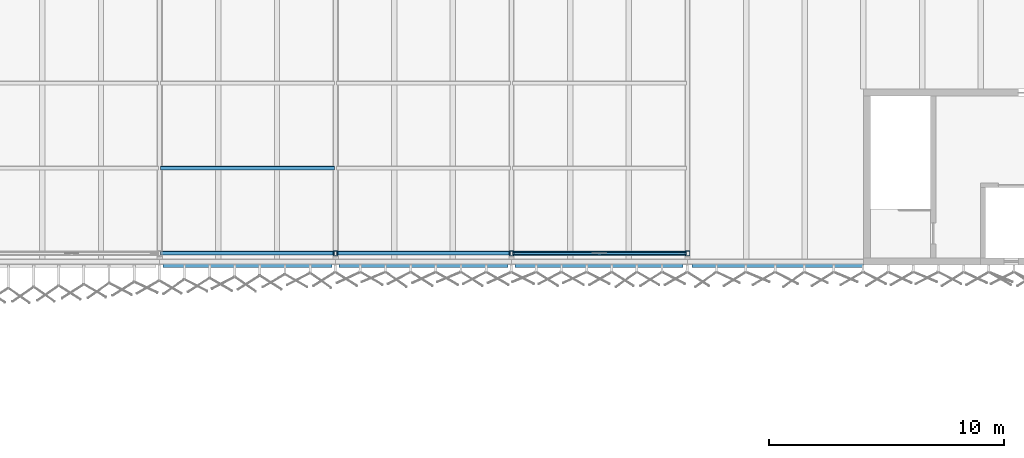
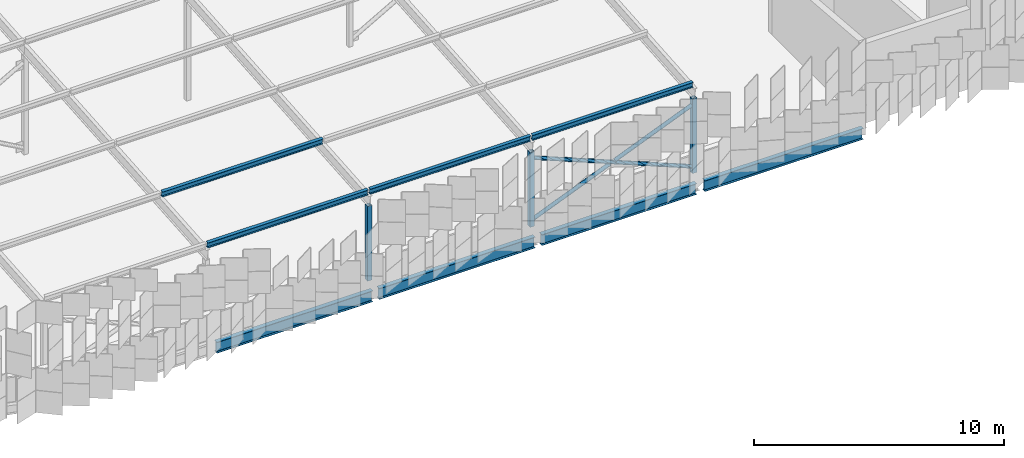
# One storey, part 42 of 483: 10 members, 4 beams.
"""IFC4 building model written with IfcOpenShell, lengths in metres."""

from ifc_helpers import new_model, si_unit, direction, frame, origin, origin_2d, place, context, subcontext, project, spatial, hollow_rectangle, hollow_circle, i_section, extrude, material, material_profile, profile_set, type_object, element, save


model = new_model("IFC4")

# Units and contexts
model_context = context("Model", 3, precision=1e-05, world=origin(), true_north=direction((0.0, 1.0)))
body_context = subcontext(model_context, "Body", "Model", "MODEL_VIEW")
ifc_project = project(units=[si_unit("LENGTHUNIT", "METRE"), si_unit("AREAUNIT", "SQUARE_METRE"), si_unit("VOLUMEUNIT", "CUBIC_METRE"), si_unit("PLANEANGLEUNIT", "RADIAN"), si_unit("MASSUNIT", "GRAM", prefix="KILO")], contexts=[model_context])

# Site, building, storey
site_placement = place(None, origin())
site = spatial("IfcSite", under=ifc_project, at=site_placement, CompositionType="ELEMENT")
building_placement = place(site_placement, origin())
building = spatial("IfcBuilding", under=site, at=building_placement, Name="Parallax Yard Mobility Hub", CompositionType="ELEMENT")
storey_placement = place(building_placement, frame((0.0, 0.0, 13.199951171875)))
storey = spatial("IfcBuildingStorey", under=building, at=storey_placement, Name="L04", CompositionType="ELEMENT", Elevation=13.199951171875)

# Members
ifc_material_1 = material(Name="Steel ASTM A500 Gr C", Category="steel")
ifc_material_profile_1 = material_profile(ifc_material_1, hollow_circle(Radius=0.0888671875, WallThickness=0.0078125, at=origin_2d()), Name="HSS177.8x7.9")
ifc_profile_set_1 = profile_set([ifc_material_profile_1], Name="Steel ASTM A500 Gr C")
member_type_1 = type_object("IfcMemberType", Name="Canopy brace HSS177.8x7.9", PredefinedType="BRACE", material=ifc_profile_set_1)
member_placement = place(storey_placement, frame((59.913330078125, 113.0, 0.300048828125), z_axis=(-0.925869010623, 0.0, 0.377844644222), x_axis=(0.0, -1.0, 0.0)))
element("IfcMember", 1, at=member_placement, inside=storey, type_object=member_type_1, Name="Canopy X brace RA bay N-A bay 4 diagonal B", PredefinedType="BRACE", context=body_context, shape_type="SweptSolid", body=[
    extrude(hollow_circle(Radius=0.0888671875, WallThickness=0.0078125, at=origin_2d()), origin(), (0.0, 0.0, 1.0), 7.913330078125),
])
for number, where, z_axis, x_axis, name in (
    (2, (52.586669921875, 113.0, 0.300048828125), (0.925875790589, 0.0, 0.377828030196), (0.0, 1.0, 0.0), "Canopy X brace RA bay N-A bay 4 diagonal A part 1"),
    (3, (56.3583984375, 113.0, 1.83935546875), (0.925875790589, 0.0, 0.377828030196), (0.0, 1.0, 0.0), "Canopy X brace RA bay N-A bay 4 diagonal A part 2"),
):
    element("IfcMember", number, at=place(storey_placement, frame(where, z_axis=z_axis, x_axis=x_axis)), inside=storey, type_object=member_type_1, Name=name, PredefinedType="BRACE", context=body_context, shape_type="SweptSolid", body=[
        extrude(hollow_circle(Radius=0.0888671875, WallThickness=0.0078125, at=origin_2d()), origin(), (0.0, 0.0, 1.0), 3.839599609375),
    ])
ifc_material_profile_2 = material_profile(ifc_material_1, hollow_rectangle(XDim=0.203125, YDim=0.203125, WallThickness=0.009521484375, at=origin_2d()), Name="HSS203x203x9.5")
ifc_profile_set_2 = profile_set([ifc_material_profile_2], Name="Steel ASTM A500 Gr C")
member_type_2 = type_object("IfcMemberType", Name="Canopy post HSS203x203x9.5", PredefinedType="POST", material=ifc_profile_set_2)
for number, where, z_axis, x_axis, name in (
    (4, (45.0, 113.0, 0.0), (0.0, 0.0, 1.0), (1.0, 0.0, 0.0), "Canopy post RA/N-A3"),
    (5, (52.5, 113.0, 0.0), (0.0, 0.0, 1.0), (1.0, 0.0, 0.0), "Canopy post RA/N-A4"),
    (6, (60.0, 113.0, 0.0), (0.0, 0.0, 1.0), (1.0, 0.0, 0.0), "Canopy post RA/N-A5"),
):
    element("IfcMember", number, at=place(storey_placement, frame(where, z_axis=z_axis, x_axis=x_axis)), inside=storey, type_object=member_type_2, Name=name, PredefinedType="POST", context=body_context, shape_type="SweptSolid", body=[
        extrude(hollow_rectangle(XDim=0.203125, YDim=0.203125, WallThickness=0.009521484375, at=origin_2d()), origin(), (0.0, 0.0, 1.0), 3.650146484375),
    ])
ifc_material_2 = material(Name="Steel ASTM A992", Category="steel")
ifc_material_profile_3 = material_profile(ifc_material_2, i_section(OverallWidth=0.14794921875, OverallDepth=0.26611328125, WebThickness=0.007568359375, FlangeThickness=0.012939453125, at=origin_2d()), Name="W250x45")
ifc_profile_set_3 = profile_set([ifc_material_profile_3], Name="Steel ASTM A992")
member_type_3 = type_object("IfcMemberType", Name="Canopy purlin W250x45", PredefinedType="PURLIN", material=ifc_profile_set_3)
for number, where, z_axis, x_axis, name in (
    (7, (37.5400390625, 113.010498046875, 4.302001953125), (1.0, 0.0, 0.0), (0.0, 0.996815308126, 0.079744852409), "Canopy purlin sector N-A bay 2 line 1"),
    (8, (37.5400390625, 116.635498046875, 4.592041015625), (1.0, 0.0, 0.0), (0.0, 0.996815308126, 0.079744852409), "Canopy purlin sector N-A bay 2 line 2"),
    (9, (45.0400390625, 113.010498046875, 4.302001953125), (1.0, 0.0, 0.0), (0.0, 0.996815308126, 0.079744852409), "Canopy purlin sector N-A bay 3 line 1"),
    (10, (52.5400390625, 113.010498046875, 4.302001953125), (1.0, 0.0, 0.0), (0.0, 0.996815308126, 0.079744852409), "Canopy purlin sector N-A bay 4 line 1"),
):
    element("IfcMember", number, at=place(storey_placement, frame(where, z_axis=z_axis, x_axis=x_axis)), inside=storey, type_object=member_type_3, Name=name, PredefinedType="PURLIN", context=body_context, shape_type="SweptSolid", body=[
        extrude(i_section(OverallWidth=0.14794921875, OverallDepth=0.26611328125, WebThickness=0.007568359375, FlangeThickness=0.012939453125, at=origin_2d()), origin(), (0.0, 0.0, 1.0), 7.419921875),
    ])

# Beams
ifc_material_profile_4 = material_profile(ifc_material_2, i_section(OverallWidth=0.208984375, OverallDepth=0.532958984375, WebThickness=0.01025390625, FlangeThickness=0.015625, FilletRadius=0.0126953125, at=origin_2d()), Name="W530x92")
ifc_profile_set_4 = profile_set([ifc_material_profile_4], Name="Steel ASTM A992")
beam_type = type_object("IfcBeamType", Name="W530x92 edge beam", PredefinedType="SPANDREL", material=ifc_profile_set_4)
for number, where, z_axis, x_axis, name in (
    (11, (37.652587890625, 112.5, -0.406494140625), (1.0, 0.0, 0.0), (0.0, 1.0, 0.0), "Edge beam SB5 level L04, line R of ramped parking decks, span 2"),
    (12, (45.152587890625, 112.5, -0.406494140625), (1.0, 0.0, 0.0), (0.0, 1.0, 0.0), "Edge beam SB5 level L04, line R of ramped parking decks, span 3"),
):
    element("IfcBeam", number, at=place(storey_placement, frame(where, z_axis=z_axis, x_axis=x_axis)), inside=storey, type_object=beam_type, Name=name, PredefinedType="SPANDREL", context=body_context, shape_type="SweptSolid", body=[
        extrude(i_section(OverallWidth=0.208984375, OverallDepth=0.532958984375, WebThickness=0.01025390625, FlangeThickness=0.015625, FilletRadius=0.0126953125, at=origin_2d()), origin(), (0.0, 0.0, 1.0), 7.19482421875),
    ])
beam_1_placement = place(storey_placement, frame((52.652587890625, 112.5, -0.406494140625), z_axis=(1.0, 0.0, 0.0), x_axis=(0.0, 1.0, 0.0)))
element("IfcBeam", 13, at=beam_1_placement, inside=storey, type_object=beam_type, Name="Edge beam SB5 level L04, line R of ramped parking decks, span 4", PredefinedType="SPANDREL", context=body_context, shape_type="SweptSolid", body=[
    extrude(i_section(OverallWidth=0.208984375, OverallDepth=0.532958984375, WebThickness=0.01025390625, FlangeThickness=0.015625, FilletRadius=0.0126953125, at=origin_2d()), origin(), (0.0, 0.0, 1.0), 7.160888671875),
])
beam_2_placement = place(storey_placement, frame((60.1865234375, 112.5, -0.406494140625), z_axis=(1.0, 0.0, 0.0), x_axis=(0.0, 1.0, 0.0)))
element("IfcBeam", 14, at=beam_2_placement, inside=storey, type_object=beam_type, Name="Edge beam SB5 level L04, line R of ramped parking decks, span 5", PredefinedType="SPANDREL", context=body_context, shape_type="SweptSolid", body=[
    extrude(i_section(OverallWidth=0.208984375, OverallDepth=0.532958984375, WebThickness=0.01025390625, FlangeThickness=0.015625, FilletRadius=0.0126953125, at=origin_2d()), origin(), (0.0, 0.0, 1.0), 7.3134765625),
])

save(model, "model.ifc")
